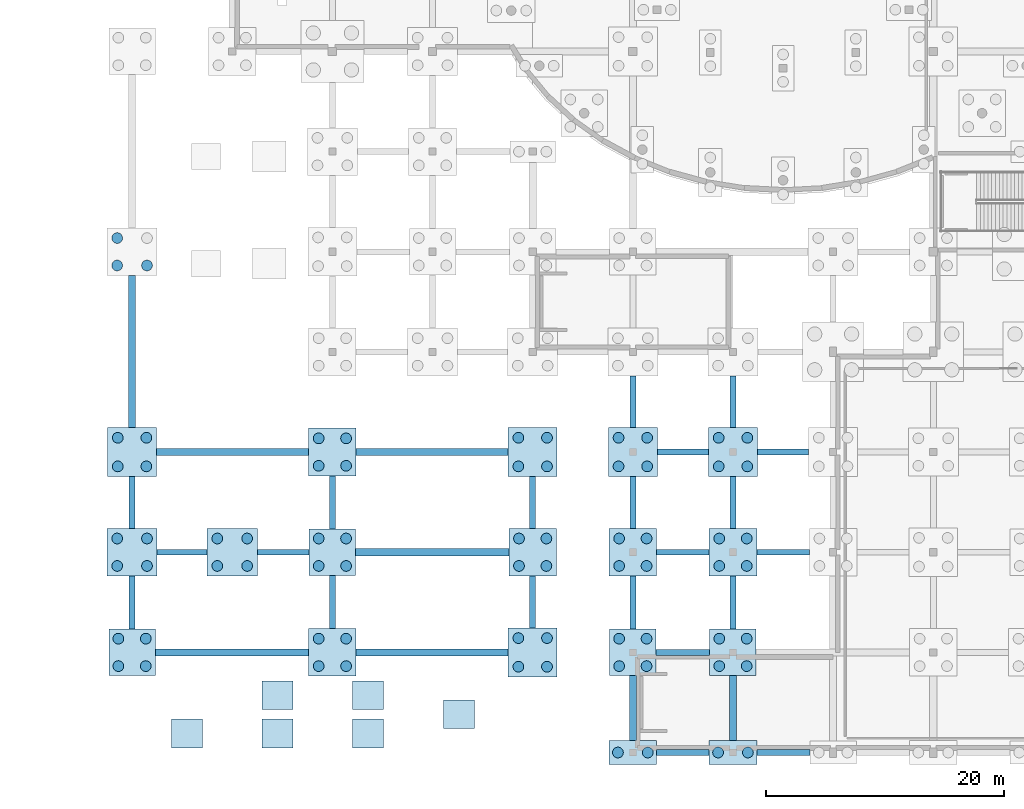
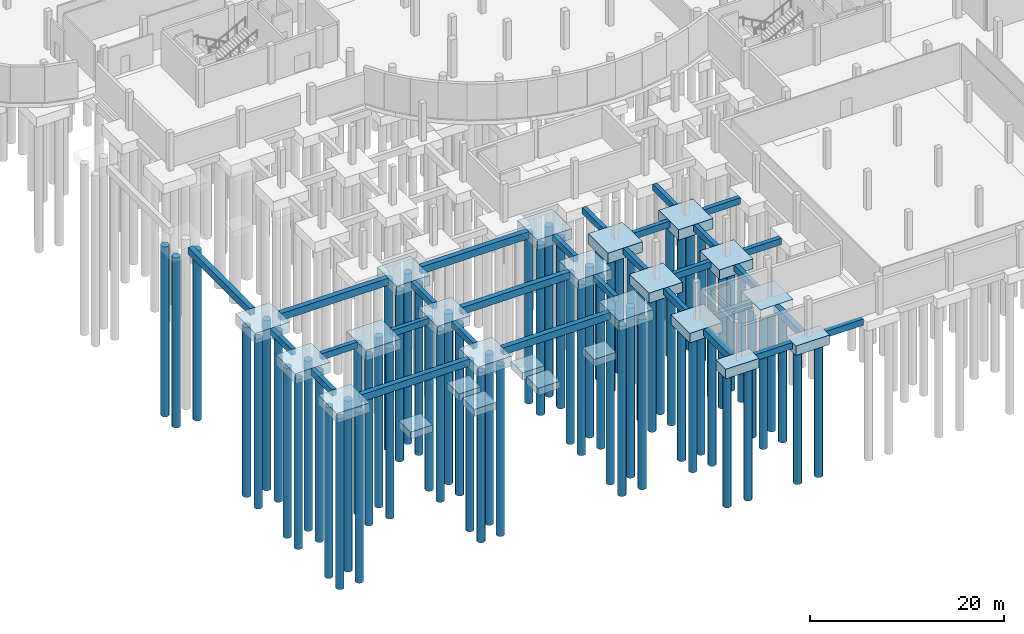
# One storey, part 1 of 24: 71 piles, 53 footings.
"""IFC4 building model written with IfcOpenShell, lengths in metres."""

from ifc_helpers import new_model, si_unit, derived_unit, direction, frame, origin, origin_2d, place, context, subcontext, project, spatial, rectangle, circle, extrude, material, layer, layer_set, material_profile, profile_set, type_object, element, save


model = new_model("IFC4")

# Units and contexts
model_context = context("Model", 3, precision=1e-05, world=origin(), true_north=direction((0.0, 1.0)))
body_context = subcontext(model_context, "Body", "Model", "MODEL_VIEW")
ifc_project = project(units=[si_unit("LENGTHUNIT", "METRE"), si_unit("AREAUNIT", "SQUARE_METRE"), si_unit("VOLUMEUNIT", "CUBIC_METRE"), si_unit("PLANEANGLEUNIT", "RADIAN"), si_unit("MASSUNIT", "GRAM", prefix="KILO"), derived_unit("THERMALTRANSMITTANCEUNIT", [(si_unit("POWERUNIT", "WATT"), 1), (si_unit("LENGTHUNIT", "METRE"), -2), (si_unit("THERMODYNAMICTEMPERATUREUNIT", "KELVIN"), -1)])], contexts=[model_context])

# Site, building, storey
site_placement = place(None, origin())
site = spatial("IfcSite", under=ifc_project, at=site_placement, CompositionType="ELEMENT")
building_placement = place(site_placement, origin())
building = spatial("IfcBuilding", under=site, at=building_placement, Name="Elbkamm Science Centre", CompositionType="ELEMENT")
storey_placement = place(building_placement, frame((0.0, 0.0, -4.800048828125)))
storey = spatial("IfcBuildingStorey", under=building, at=storey_placement, Name="B01", CompositionType="ELEMENT", Elevation=-4.800048828125)

# Footings
ifc_material = material(Name="Concrete C35/45", Category="concrete")
footing_type_1 = type_object("IfcFootingType", Name="FTG-TIE-500x800", PredefinedType="FOOTING_BEAM", material=ifc_material)
footing_1_placement = place(storey_placement, frame((54.60009765625, 0.0, -0.7998046875), z_axis=(0.0, 0.0, 1.0), x_axis=(1.0, 0.0, 0.0)))
element("IfcFooting", 1, at=footing_1_placement, inside=storey, type_object=footing_type_1, Name="Substructure Ground Tie Beam X-001", PredefinedType="FOOTING_BEAM", context=body_context, shape_type="SweptSolid", body=[
    extrude(rectangle(XDim=4.39990234375, YDim=0.5, at=origin_2d()), origin(), (0.0, 0.0, 1.0), 0.800048828125),
])
footing_2_placement = place(storey_placement, frame((63.02490234375, 0.0, -0.7998046875), z_axis=(0.0, 0.0, 1.0), x_axis=(1.0, 0.0, 0.0)))
element("IfcFooting", 2, at=footing_2_placement, inside=storey, type_object=footing_type_1, Name="Substructure Ground Tie Beam X-002", PredefinedType="FOOTING_BEAM", context=body_context, shape_type="SweptSolid", body=[
    extrude(rectangle(XDim=4.449951171875, YDim=0.5, at=origin_2d()), origin(), (0.0, 0.0, 1.0), 0.800048828125),
])
footing_3_placement = place(storey_placement, frame((54.60009765625, 8.39990234375, -0.7998046875), z_axis=(0.0, 0.0, 1.0), x_axis=(1.0, 0.0, 0.0)))
element("IfcFooting", 3, at=footing_3_placement, inside=storey, type_object=footing_type_1, Name="Substructure Ground Tie Beam X-011", PredefinedType="FOOTING_BEAM", context=body_context, shape_type="SweptSolid", body=[
    extrude(rectangle(XDim=4.5, YDim=0.5, at=origin_2d()), origin(), (0.0, 0.0, 1.0), 0.800048828125),
])
footing_4_placement = place(storey_placement, frame((12.60009765625, 16.800048828125, 3.81005859375), z_axis=(0.0, 0.0, 1.0), x_axis=(1.0, 0.0, 0.0)))
element("IfcFooting", 4, at=footing_4_placement, inside=storey, type_object=footing_type_1, Name="Substructure Ground Tie Beam X-018", PredefinedType="FOOTING_BEAM", context=body_context, shape_type="SweptSolid", body=[
    extrude(rectangle(XDim=4.199951171875, YDim=0.5, at=origin_2d()), origin(), (0.0, 0.0, 1.0), 0.800048828125),
])
footing_5_placement = place(storey_placement, frame((21.074951171875, 16.800048828125, 3.81005859375), z_axis=(0.0, 0.0, 1.0), x_axis=(1.0, 0.0, 0.0)))
element("IfcFooting", 5, at=footing_5_placement, inside=storey, type_object=footing_type_1, Name="Substructure Ground Tie Beam X-019", PredefinedType="FOOTING_BEAM", context=body_context, shape_type="SweptSolid", body=[
    extrude(rectangle(XDim=4.35009765625, YDim=0.5, at=origin_2d()), origin(), (0.0, 0.0, 1.0), 0.800048828125),
])
for number, where, z_axis, x_axis, name in (
    (6, (54.60009765625, 16.800048828125, -0.7998046875), (0.0, 0.0, 1.0), (1.0, 0.0, 0.0), "Substructure Ground Tie Beam X-021"),
    (7, (63.0, 16.800048828125, -0.7998046875), (0.0, 0.0, 1.0), (1.0, 0.0, 0.0), "Substructure Ground Tie Beam X-022"),
):
    element("IfcFooting", number, at=place(storey_placement, frame(where, z_axis=z_axis, x_axis=x_axis)), inside=storey, type_object=footing_type_1, Name=name, PredefinedType="FOOTING_BEAM", context=body_context, shape_type="SweptSolid", body=[
        extrude(rectangle(XDim=4.39990234375, YDim=0.5, at=origin_2d()), origin(), (0.0, 0.0, 1.0), 0.800048828125),
    ])
for number, where, z_axis, x_axis, name in (
    (8, (54.60009765625, 25.199951171875, -0.7998046875), (0.0, 0.0, 1.0), (1.0, 0.0, 0.0), "Substructure Ground Tie Beam X-031"),
    (9, (63.0, 25.199951171875, -0.7998046875), (0.0, 0.0, 1.0), (1.0, 0.0, 0.0), "Substructure Ground Tie Beam X-032"),
):
    element("IfcFooting", number, at=place(storey_placement, frame(where, z_axis=z_axis, x_axis=x_axis)), inside=storey, type_object=footing_type_1, Name=name, PredefinedType="FOOTING_BEAM", context=body_context, shape_type="SweptSolid", body=[
        extrude(rectangle(XDim=4.300048828125, YDim=0.5, at=origin_2d()), origin(), (0.0, 0.0, 1.0), 0.800048828125),
    ])
footing_6_placement = place(storey_placement, frame((8.39990234375, 12.574951171875, 3.81005859375), z_axis=(0.0, 0.0, 1.0), x_axis=(1.0, 0.0, 0.0)))
element("IfcFooting", 10, at=footing_6_placement, inside=storey, type_object=footing_type_1, Name="Substructure Ground Tie Beam Y-127", PredefinedType="FOOTING_BEAM", context=body_context, shape_type="SweptSolid", body=[
    extrude(rectangle(XDim=0.5, YDim=4.449951171875, at=origin_2d()), origin(), (0.0, 0.0, 1.0), 0.800048828125),
])
footing_7_placement = place(storey_placement, frame((8.39990234375, 20.97509765625, 3.81005859375), z_axis=(0.0, 0.0, 1.0), x_axis=(1.0, 0.0, 0.0)))
element("IfcFooting", 11, at=footing_7_placement, inside=storey, type_object=footing_type_1, Name="Substructure Ground Tie Beam Y-128", PredefinedType="FOOTING_BEAM", context=body_context, shape_type="SweptSolid", body=[
    extrude(rectangle(XDim=0.5, YDim=4.35009765625, at=origin_2d()), origin(), (0.0, 0.0, 1.0), 0.800048828125),
])
for number, where, z_axis, x_axis, name in (
    (12, (25.199951171875, 12.625, 3.81005859375), (0.0, 0.0, 1.0), (1.0, 0.0, 0.0), "Substructure Ground Tie Beam Y-134"),
    (13, (25.199951171875, 20.97509765625, 3.81005859375), (0.0, 0.0, 1.0), (1.0, 0.0, 0.0), "Substructure Ground Tie Beam Y-135"),
):
    element("IfcFooting", number, at=place(storey_placement, frame(where, z_axis=z_axis, x_axis=x_axis)), inside=storey, type_object=footing_type_1, Name=name, PredefinedType="FOOTING_BEAM", context=body_context, shape_type="SweptSolid", body=[
        extrude(rectangle(XDim=0.5, YDim=4.449951171875, at=origin_2d()), origin(), (0.0, 0.0, 1.0), 0.800048828125),
    ])
for number, where, z_axis, x_axis, name in (
    (14, (42.0, 12.625, 3.81005859375), (0.0, 0.0, 1.0), (1.0, 0.0, 0.0), "Substructure Ground Tie Beam Y-147"),
    (15, (42.0, 20.97509765625, 3.81005859375), (0.0, 0.0, 1.0), (1.0, 0.0, 0.0), "Substructure Ground Tie Beam Y-148"),
):
    element("IfcFooting", number, at=place(storey_placement, frame(where, z_axis=z_axis, x_axis=x_axis)), inside=storey, type_object=footing_type_1, Name=name, PredefinedType="FOOTING_BEAM", context=body_context, shape_type="SweptSolid", body=[
        extrude(rectangle(XDim=0.5, YDim=4.35009765625, at=origin_2d()), origin(), (0.0, 0.0, 1.0), 0.800048828125),
    ])
footing_8_placement = place(storey_placement, frame((50.39990234375, 12.574951171875, -0.7998046875), z_axis=(0.0, 0.0, 1.0), x_axis=(1.0, 0.0, 0.0)))
element("IfcFooting", 16, at=footing_8_placement, inside=storey, type_object=footing_type_1, Name="Substructure Ground Tie Beam Y-152", PredefinedType="FOOTING_BEAM", context=body_context, shape_type="SweptSolid", body=[
    extrude(rectangle(XDim=0.5, YDim=4.449951171875, at=origin_2d()), origin(), (0.0, 0.0, 1.0), 0.800048828125),
])
for number, where, z_axis, x_axis, name in (
    (17, (50.39990234375, 20.97509765625, -0.7998046875), (0.0, 0.0, 1.0), (1.0, 0.0, 0.0), "Substructure Ground Tie Beam Y-153"),
    (18, (50.39990234375, 29.425048828125, -0.7998046875), (0.0, 0.0, 1.0), (1.0, 0.0, 0.0), "Substructure Ground Tie Beam Y-154"),
):
    element("IfcFooting", number, at=place(storey_placement, frame(where, z_axis=z_axis, x_axis=x_axis)), inside=storey, type_object=footing_type_1, Name=name, PredefinedType="FOOTING_BEAM", context=body_context, shape_type="SweptSolid", body=[
        extrude(rectangle(XDim=0.5, YDim=4.35009765625, at=origin_2d()), origin(), (0.0, 0.0, 1.0), 0.800048828125),
    ])
footing_9_placement = place(storey_placement, frame((58.800048828125, 12.574951171875, -0.7998046875), z_axis=(0.0, 0.0, 1.0), x_axis=(1.0, 0.0, 0.0)))
element("IfcFooting", 19, at=footing_9_placement, inside=storey, type_object=footing_type_1, Name="Substructure Ground Tie Beam Y-159", PredefinedType="FOOTING_BEAM", context=body_context, shape_type="SweptSolid", body=[
    extrude(rectangle(XDim=0.5, YDim=4.449951171875, at=origin_2d()), origin(), (0.0, 0.0, 1.0), 0.800048828125),
])
for number, where, z_axis, x_axis, name in (
    (20, (58.800048828125, 20.97509765625, -0.7998046875), (0.0, 0.0, 1.0), (1.0, 0.0, 0.0), "Substructure Ground Tie Beam Y-160"),
    (21, (58.800048828125, 29.425048828125, -0.7998046875), (0.0, 0.0, 1.0), (1.0, 0.0, 0.0), "Substructure Ground Tie Beam Y-161"),
):
    element("IfcFooting", number, at=place(storey_placement, frame(where, z_axis=z_axis, x_axis=x_axis)), inside=storey, type_object=footing_type_1, Name=name, PredefinedType="FOOTING_BEAM", context=body_context, shape_type="SweptSolid", body=[
        extrude(rectangle(XDim=0.5, YDim=4.35009765625, at=origin_2d()), origin(), (0.0, 0.0, 1.0), 0.800048828125),
    ])
footing_type_2 = type_object("IfcFootingType", Name="FTG-TIE-600x900", PredefinedType="FOOTING_BEAM", material=ifc_material)
footing_10_placement = place(storey_placement, frame((16.77490234375, 8.39990234375, 3.710205078125), z_axis=(0.0, 0.0, 1.0), x_axis=(1.0, 0.0, 0.0)))
element("IfcFooting", 22, at=footing_10_placement, inside=storey, type_object=footing_type_2, Name="Substructure Ground Tie Beam X-009", PredefinedType="FOOTING_BEAM", context=body_context, shape_type="SweptSolid", body=[
    extrude(rectangle(XDim=12.85009765625, YDim=0.60009765625, at=origin_2d()), origin(), (0.0, 0.0, 1.0), 0.89990234375),
])
footing_11_placement = place(storey_placement, frame((33.574951171875, 8.39990234375, 3.710205078125), z_axis=(0.0, 0.0, 1.0), x_axis=(1.0, 0.0, 0.0)))
element("IfcFooting", 23, at=footing_11_placement, inside=storey, type_object=footing_type_2, Name="Substructure Ground Tie Beam X-010", PredefinedType="FOOTING_BEAM", context=body_context, shape_type="SweptSolid", body=[
    extrude(rectangle(XDim=12.75, YDim=0.60009765625, at=origin_2d()), origin(), (0.0, 0.0, 1.0), 0.89990234375),
])
footing_12_placement = place(storey_placement, frame((33.574951171875, 16.800048828125, 3.710205078125), z_axis=(0.0, 0.0, 1.0), x_axis=(1.0, 0.0, 0.0)))
element("IfcFooting", 24, at=footing_12_placement, inside=storey, type_object=footing_type_2, Name="Substructure Ground Tie Beam X-020", PredefinedType="FOOTING_BEAM", context=body_context, shape_type="SweptSolid", body=[
    extrude(rectangle(XDim=12.85009765625, YDim=0.60009765625, at=origin_2d()), origin(), (0.0, 0.0, 1.0), 0.89990234375),
])
for number, where, z_axis, x_axis, name in (
    (25, (16.824951171875, 25.199951171875, 3.710205078125), (0.0, 0.0, 1.0), (1.0, 0.0, 0.0), "Substructure Ground Tie Beam X-029"),
    (26, (33.574951171875, 25.199951171875, 3.710205078125), (0.0, 0.0, 1.0), (1.0, 0.0, 0.0), "Substructure Ground Tie Beam X-030"),
):
    element("IfcFooting", number, at=place(storey_placement, frame(where, z_axis=z_axis, x_axis=x_axis)), inside=storey, type_object=footing_type_2, Name=name, PredefinedType="FOOTING_BEAM", context=body_context, shape_type="SweptSolid", body=[
        extrude(rectangle(XDim=12.75, YDim=0.60009765625, at=origin_2d()), origin(), (0.0, 0.0, 1.0), 0.89990234375),
    ])
footing_13_placement = place(storey_placement, frame((8.39990234375, 33.625, 3.710205078125), z_axis=(0.0, 0.0, 1.0), x_axis=(1.0, 0.0, 0.0)))
element("IfcFooting", 27, at=footing_13_placement, inside=storey, type_object=footing_type_2, Name="Substructure Ground Tie Beam Y-129", PredefinedType="FOOTING_BEAM", context=body_context, shape_type="SweptSolid", body=[
    extrude(rectangle(XDim=0.60009765625, YDim=12.75, at=origin_2d()), origin(), (0.0, 0.0, 1.0), 0.89990234375),
])
for number, where, z_axis, x_axis, name in (
    (28, (50.39990234375, 3.72509765625, -0.89990234375), (0.0, 0.0, 1.0), (1.0, 0.0, 0.0), "Substructure Ground Tie Beam Y-151"),
    (29, (58.800048828125, 3.72509765625, -0.89990234375), (0.0, 0.0, 1.0), (1.0, 0.0, 0.0), "Substructure Ground Tie Beam Y-158"),
):
    element("IfcFooting", number, at=place(storey_placement, frame(where, z_axis=z_axis, x_axis=x_axis)), inside=storey, type_object=footing_type_2, Name=name, PredefinedType="FOOTING_BEAM", context=body_context, shape_type="SweptSolid", body=[
        extrude(rectangle(XDim=0.60009765625, YDim=5.449951171875, at=origin_2d()), origin(), (0.0, 0.0, 1.0), 0.89990234375),
    ])
ifc_layer_1 = layer(ifc_material, 0.89990234375)
ifc_layer_set_1 = layer_set([ifc_layer_1], Name="Concrete C35/45")
footing_type_3 = type_object("IfcFootingType", Name="PAD-260x240x90", PredefinedType="PAD_FOOTING", material=ifc_layer_set_1)
for number, where, z_axis, x_axis, name in (
    (30, (13.0, 1.60009765625, 3.2001953125), (0.0, 0.0, 1.0), (1.0, 0.0, 0.0), "Accessible Ramp Entry Footing"),
    (31, (20.60009765625, 1.60009765625, 3.400146484375), (0.0, 0.0, 1.0), (1.0, 0.0, 0.0), "RMP-01 Landing Pad Footing"),
    (32, (28.199951171875, 1.60009765625, 3.400146484375), (0.0, 0.0, 1.0), (1.0, 0.0, 0.0), "RMP-02 Landing Pad Footing"),
    (33, (35.800048828125, 3.199951171875, 3.400146484375), (0.0, 0.0, 1.0), (1.0, 0.0, 0.0), "RMP-03 Landing Pad Footing"),
    (34, (28.199951171875, 4.800048828125, 3.400146484375), (0.0, 0.0, 1.0), (1.0, 0.0, 0.0), "RMP-04 Landing Pad Footing"),
    (35, (20.60009765625, 4.800048828125, 3.400146484375), (0.0, 0.0, 1.0), (1.0, 0.0, 0.0), "RMP-05 Landing Pad Footing"),
):
    element("IfcFooting", number, at=place(storey_placement, frame(where, z_axis=z_axis, x_axis=x_axis)), inside=storey, type_object=footing_type_3, Name=name, PredefinedType="PAD_FOOTING", context=body_context, shape_type="SweptSolid", body=[
        extrude(rectangle(XDim=2.60009765625, YDim=2.39990234375, at=origin_2d()), origin(), (0.0, 0.0, 1.0), 0.89990234375),
    ])
ifc_layer_2 = layer(ifc_material, 1.199951171875)
ifc_layer_set_2 = layer_set([ifc_layer_2], Name="Concrete C35/45")
footing_type_4 = type_object("IfcFootingType", Name="PC-2P-400x200x120", PredefinedType="PILE_CAP", material=ifc_layer_set_2)
for number, where, z_axis, x_axis, name in (
    (36, (50.39990234375, 0.0, -1.19970703125), (0.0, 0.0, 1.0), (1.0, 0.0, 0.0), "Pile Cap GRID-7-A"),
    (37, (58.800048828125, 0.0, -1.19970703125), (0.0, 0.0, 1.0), (1.0, 0.0, 0.0), "Pile Cap GRID-8-A"),
):
    element("IfcFooting", number, at=place(storey_placement, frame(where, z_axis=z_axis, x_axis=x_axis)), inside=storey, type_object=footing_type_4, Name=name, PredefinedType="PILE_CAP", context=body_context, shape_type="SweptSolid", body=[
        extrude(rectangle(XDim=4.0, YDim=2.0, at=origin_2d()), origin(), (0.0, 0.0, 1.0), 1.199951171875),
    ])
ifc_layer_3 = layer(ifc_material, 1.199951171875)
ifc_layer_set_3 = layer_set([ifc_layer_3], Name="Concrete C35/45")
footing_type_5 = type_object("IfcFootingType", Name="PC-4P-390x390x120", PredefinedType="PILE_CAP", material=ifc_layer_set_3)
for number, where, z_axis, x_axis, name in (
    (38, (8.39990234375, 8.39990234375, 3.41015625), (0.0, 0.0, 1.0), (1.0, 0.0, 0.0), "Pile Cap MARQ-SUB-01"),
    (39, (25.199951171875, 16.800048828125, 3.41015625), (0.0, 0.0, 1.0), (1.0, 0.0, 0.0), "Pile Cap MARQ-SUB-05"),
    (40, (50.39990234375, 8.39990234375, -1.19970703125), (0.0, 0.0, 1.0), (1.0, 0.0, 0.0), "Pile Cap GRID-7-B"),
    (41, (58.800048828125, 8.39990234375, -1.19970703125), (0.0, 0.0, 1.0), (1.0, 0.0, 0.0), "Pile Cap GRID-8-B"),
):
    element("IfcFooting", number, at=place(storey_placement, frame(where, z_axis=z_axis, x_axis=x_axis)), inside=storey, type_object=footing_type_5, Name=name, PredefinedType="PILE_CAP", context=body_context, shape_type="SweptSolid", body=[
        extrude(rectangle(XDim=3.89990234375, YDim=3.89990234375, at=origin_2d()), origin(), (0.0, 0.0, 1.0), 1.199951171875),
    ])
ifc_layer_4 = layer(ifc_material, 1.25)
ifc_layer_set_4 = layer_set([ifc_layer_4], Name="Concrete C35/45")
footing_type_6 = type_object("IfcFootingType", Name="PC-4P-400x400x125", PredefinedType="PILE_CAP", material=ifc_layer_set_4)
for number, where, z_axis, x_axis, name in (
    (42, (25.199951171875, 8.39990234375, 3.360107421875), (0.0, 0.0, 1.0), (1.0, 0.0, 0.0), "Pile Cap MARQ-SUB-02"),
    (43, (42.0, 16.800048828125, 3.360107421875), (0.0, 0.0, 1.0), (1.0, 0.0, 0.0), "Pile Cap MARQ-SUB-06"),
    (44, (25.199951171875, 25.199951171875, 3.360107421875), (0.0, 0.0, 1.0), (1.0, 0.0, 0.0), "Pile Cap MARQ-SUB-10"),
    (45, (50.39990234375, 16.800048828125, -1.25), (0.0, 0.0, 1.0), (1.0, 0.0, 0.0), "Pile Cap GRID-7-C"),
    (46, (58.800048828125, 16.800048828125, -1.25), (0.0, 0.0, 1.0), (1.0, 0.0, 0.0), "Pile Cap GRID-8-C"),
):
    element("IfcFooting", number, at=place(storey_placement, frame(where, z_axis=z_axis, x_axis=x_axis)), inside=storey, type_object=footing_type_6, Name=name, PredefinedType="PILE_CAP", context=body_context, shape_type="SweptSolid", body=[
        extrude(rectangle(XDim=4.0, YDim=4.0, at=origin_2d()), origin(), (0.0, 0.0, 1.0), 1.25),
    ])
ifc_layer_5 = layer(ifc_material, 1.300048828125)
ifc_layer_set_5 = layer_set([ifc_layer_5], Name="Concrete C35/45")
footing_type_7 = type_object("IfcFootingType", Name="PC-4P-410x410x130", PredefinedType="PILE_CAP", material=ifc_layer_set_5)
for number, where, z_axis, x_axis, name in (
    (47, (42.0, 8.39990234375, 3.31005859375), (0.0, 0.0, 1.0), (1.0, 0.0, 0.0), "Pile Cap MARQ-SUB-03"),
    (48, (8.39990234375, 25.199951171875, 3.31005859375), (0.0, 0.0, 1.0), (1.0, 0.0, 0.0), "Pile Cap MARQ-SUB-07"),
    (49, (42.0, 25.199951171875, 3.31005859375), (0.0, 0.0, 1.0), (1.0, 0.0, 0.0), "Pile Cap MARQ-SUB-11"),
    (50, (50.39990234375, 25.199951171875, -1.2998046875), (0.0, 0.0, 1.0), (1.0, 0.0, 0.0), "Pile Cap GRID-7-D"),
    (51, (58.800048828125, 25.199951171875, -1.2998046875), (0.0, 0.0, 1.0), (1.0, 0.0, 0.0), "Pile Cap GRID-8-D"),
):
    element("IfcFooting", number, at=place(storey_placement, frame(where, z_axis=z_axis, x_axis=x_axis)), inside=storey, type_object=footing_type_7, Name=name, PredefinedType="PILE_CAP", context=body_context, shape_type="SweptSolid", body=[
        extrude(rectangle(XDim=4.10009765625, YDim=4.10009765625, at=origin_2d()), origin(), (0.0, 0.0, 1.0), 1.300048828125),
    ])
ifc_layer_6 = layer(ifc_material, 1.300048828125)
ifc_layer_set_6 = layer_set([ifc_layer_6], Name="Concrete C35/45")
footing_type_8 = type_object("IfcFootingType", Name="PC-4P-420x400x130", PredefinedType="PILE_CAP", material=ifc_layer_set_6)
for number, where, z_axis, x_axis, name in (
    (52, (8.39990234375, 16.800048828125, 3.31005859375), (0.0, 0.0, 1.0), (1.0, 0.0, 0.0), "Pile Cap MARQ-SUB-04"),
    (53, (16.800048828125, 16.800048828125, 3.31005859375), (0.0, 0.0, 1.0), (1.0, 0.0, 0.0), "Pile Cap MARQ-SUB-12"),
):
    element("IfcFooting", number, at=place(storey_placement, frame(where, z_axis=z_axis, x_axis=x_axis)), inside=storey, type_object=footing_type_8, Name=name, PredefinedType="PILE_CAP", context=body_context, shape_type="SweptSolid", body=[
        extrude(rectangle(XDim=4.199951171875, YDim=4.0, at=origin_2d()), origin(), (0.0, 0.0, 1.0), 1.300048828125),
    ])

# Piles
ifc_material_profile = material_profile(ifc_material, circle(Radius=0.449951171875, at=origin_2d()), Name="PILE D900")
ifc_profile_set = profile_set([ifc_material_profile], Name="Concrete C35/45")
pile_type = type_object("IfcPileType", Name="PILE-BORED-900", PredefinedType="BORED", material=ifc_profile_set)
for number, where, z_axis, x_axis, name in (
    (54, (7.25, 7.25, 3.510009765625), (0.0, 0.0, -1.0), (1.0, 0.0, 0.0), "Bored Pile MARQ-SUB-01-1"),
    (55, (9.550048828125, 7.25, 3.510009765625), (0.0, 0.0, -1.0), (1.0, 0.0, 0.0), "Bored Pile MARQ-SUB-01-2"),
    (56, (7.25, 9.550048828125, 3.510009765625), (0.0, 0.0, -1.0), (1.0, 0.0, 0.0), "Bored Pile MARQ-SUB-01-3"),
    (57, (9.550048828125, 9.550048828125, 3.510009765625), (0.0, 0.0, -1.0), (1.0, 0.0, 0.0), "Bored Pile MARQ-SUB-01-4"),
):
    element("IfcPile", number, at=place(storey_placement, frame(where, z_axis=z_axis, x_axis=x_axis)), inside=storey, type_object=pile_type, Name=name, PredefinedType="BORED", context=body_context, shape_type="SweptSolid", body=[
        extrude(circle(Radius=0.449951171875, at=origin_2d()), origin(), (0.0, 0.0, 1.0), 21.510009765625),
    ])
for number, where, z_axis, x_axis, name in (
    (58, (24.050048828125, 7.25, 3.4599609375), (0.0, 0.0, -1.0), (1.0, 0.0, 0.0), "Bored Pile MARQ-SUB-02-1"),
    (59, (26.35009765625, 7.25, 3.4599609375), (0.0, 0.0, -1.0), (1.0, 0.0, 0.0), "Bored Pile MARQ-SUB-02-2"),
    (60, (24.050048828125, 9.550048828125, 3.4599609375), (0.0, 0.0, -1.0), (1.0, 0.0, 0.0), "Bored Pile MARQ-SUB-02-3"),
    (61, (26.35009765625, 9.550048828125, 3.4599609375), (0.0, 0.0, -1.0), (1.0, 0.0, 0.0), "Bored Pile MARQ-SUB-02-4"),
):
    element("IfcPile", number, at=place(storey_placement, frame(where, z_axis=z_axis, x_axis=x_axis)), inside=storey, type_object=pile_type, Name=name, PredefinedType="BORED", context=body_context, shape_type="SweptSolid", body=[
        extrude(circle(Radius=0.449951171875, at=origin_2d()), origin(), (0.0, 0.0, 1.0), 21.4599609375),
    ])
for number, where, z_axis, x_axis, name in (
    (62, (40.800048828125, 7.199951171875, 3.41015625), (0.0, 0.0, -1.0), (1.0, 0.0, 0.0), "Bored Pile MARQ-SUB-03-1"),
    (63, (43.199951171875, 7.199951171875, 3.41015625), (0.0, 0.0, -1.0), (1.0, 0.0, 0.0), "Bored Pile MARQ-SUB-03-2"),
    (64, (40.800048828125, 9.60009765625, 3.41015625), (0.0, 0.0, -1.0), (1.0, 0.0, 0.0), "Bored Pile MARQ-SUB-03-3"),
    (65, (43.199951171875, 9.60009765625, 3.41015625), (0.0, 0.0, -1.0), (1.0, 0.0, 0.0), "Bored Pile MARQ-SUB-03-4"),
    (66, (7.14990234375, 15.64990234375, 3.41015625), (0.0, 0.0, -1.0), (1.0, 0.0, 0.0), "Bored Pile MARQ-SUB-04-1"),
    (67, (9.64990234375, 15.64990234375, 3.41015625), (0.0, 0.0, -1.0), (1.0, 0.0, 0.0), "Bored Pile MARQ-SUB-04-2"),
    (68, (7.14990234375, 17.949951171875, 3.41015625), (0.0, 0.0, -1.0), (1.0, 0.0, 0.0), "Bored Pile MARQ-SUB-04-3"),
    (69, (9.64990234375, 17.949951171875, 3.41015625), (0.0, 0.0, -1.0), (1.0, 0.0, 0.0), "Bored Pile MARQ-SUB-04-4"),
):
    element("IfcPile", number, at=place(storey_placement, frame(where, z_axis=z_axis, x_axis=x_axis)), inside=storey, type_object=pile_type, Name=name, PredefinedType="BORED", context=body_context, shape_type="SweptSolid", body=[
        extrude(circle(Radius=0.449951171875, at=origin_2d()), origin(), (0.0, 0.0, 1.0), 21.409912109375),
    ])
for number, where, z_axis, x_axis, name in (
    (70, (24.050048828125, 15.64990234375, 3.510009765625), (0.0, 0.0, -1.0), (1.0, 0.0, 0.0), "Bored Pile MARQ-SUB-05-1"),
    (71, (26.35009765625, 15.64990234375, 3.510009765625), (0.0, 0.0, -1.0), (1.0, 0.0, 0.0), "Bored Pile MARQ-SUB-05-2"),
    (72, (24.050048828125, 17.949951171875, 3.510009765625), (0.0, 0.0, -1.0), (1.0, 0.0, 0.0), "Bored Pile MARQ-SUB-05-3"),
    (73, (26.35009765625, 17.949951171875, 3.510009765625), (0.0, 0.0, -1.0), (1.0, 0.0, 0.0), "Bored Pile MARQ-SUB-05-4"),
):
    element("IfcPile", number, at=place(storey_placement, frame(where, z_axis=z_axis, x_axis=x_axis)), inside=storey, type_object=pile_type, Name=name, PredefinedType="BORED", context=body_context, shape_type="SweptSolid", body=[
        extrude(circle(Radius=0.449951171875, at=origin_2d()), origin(), (0.0, 0.0, 1.0), 21.510009765625),
    ])
for number, where, z_axis, x_axis, name in (
    (74, (40.85009765625, 15.64990234375, 3.4599609375), (0.0, 0.0, -1.0), (1.0, 0.0, 0.0), "Bored Pile MARQ-SUB-06-1"),
    (75, (43.14990234375, 15.64990234375, 3.4599609375), (0.0, 0.0, -1.0), (1.0, 0.0, 0.0), "Bored Pile MARQ-SUB-06-2"),
    (76, (40.85009765625, 17.949951171875, 3.4599609375), (0.0, 0.0, -1.0), (1.0, 0.0, 0.0), "Bored Pile MARQ-SUB-06-3"),
    (77, (43.14990234375, 17.949951171875, 3.4599609375), (0.0, 0.0, -1.0), (1.0, 0.0, 0.0), "Bored Pile MARQ-SUB-06-4"),
):
    element("IfcPile", number, at=place(storey_placement, frame(where, z_axis=z_axis, x_axis=x_axis)), inside=storey, type_object=pile_type, Name=name, PredefinedType="BORED", context=body_context, shape_type="SweptSolid", body=[
        extrude(circle(Radius=0.449951171875, at=origin_2d()), origin(), (0.0, 0.0, 1.0), 21.4599609375),
    ])
for number, where, z_axis, x_axis, name in (
    (78, (7.199951171875, 24.0, 3.41015625), (0.0, 0.0, -1.0), (1.0, 0.0, 0.0), "Bored Pile MARQ-SUB-07-1"),
    (79, (9.60009765625, 24.0, 3.41015625), (0.0, 0.0, -1.0), (1.0, 0.0, 0.0), "Bored Pile MARQ-SUB-07-2"),
    (80, (7.199951171875, 26.39990234375, 3.41015625), (0.0, 0.0, -1.0), (1.0, 0.0, 0.0), "Bored Pile MARQ-SUB-07-3"),
    (81, (9.60009765625, 26.39990234375, 3.41015625), (0.0, 0.0, -1.0), (1.0, 0.0, 0.0), "Bored Pile MARQ-SUB-07-4"),
    (82, (7.14990234375, 40.85009765625, 3.41015625), (0.0, 0.0, -1.0), (1.0, 0.0, 0.0), "Bored Pile MARQ-SUB-08-1"),
    (83, (9.64990234375, 40.85009765625, 3.41015625), (0.0, 0.0, -1.0), (1.0, 0.0, 0.0), "Bored Pile MARQ-SUB-08-2"),
    (84, (7.14990234375, 43.14990234375, 3.41015625), (0.0, 0.0, -1.0), (1.0, 0.0, 0.0), "Bored Pile MARQ-SUB-08-3"),
):
    element("IfcPile", number, at=place(storey_placement, frame(where, z_axis=z_axis, x_axis=x_axis)), inside=storey, type_object=pile_type, Name=name, PredefinedType="BORED", context=body_context, shape_type="SweptSolid", body=[
        extrude(circle(Radius=0.449951171875, at=origin_2d()), origin(), (0.0, 0.0, 1.0), 21.409912109375),
    ])
for number, where, z_axis, x_axis, name in (
    (85, (24.050048828125, 24.050048828125, 3.4599609375), (0.0, 0.0, -1.0), (1.0, 0.0, 0.0), "Bored Pile MARQ-SUB-10-1"),
    (86, (26.35009765625, 24.050048828125, 3.4599609375), (0.0, 0.0, -1.0), (1.0, 0.0, 0.0), "Bored Pile MARQ-SUB-10-2"),
    (87, (24.050048828125, 26.35009765625, 3.4599609375), (0.0, 0.0, -1.0), (1.0, 0.0, 0.0), "Bored Pile MARQ-SUB-10-3"),
    (88, (26.35009765625, 26.35009765625, 3.4599609375), (0.0, 0.0, -1.0), (1.0, 0.0, 0.0), "Bored Pile MARQ-SUB-10-4"),
):
    element("IfcPile", number, at=place(storey_placement, frame(where, z_axis=z_axis, x_axis=x_axis)), inside=storey, type_object=pile_type, Name=name, PredefinedType="BORED", context=body_context, shape_type="SweptSolid", body=[
        extrude(circle(Radius=0.449951171875, at=origin_2d()), origin(), (0.0, 0.0, 1.0), 21.4599609375),
    ])
for number, where, z_axis, x_axis, name in (
    (89, (40.800048828125, 24.0, 3.41015625), (0.0, 0.0, -1.0), (1.0, 0.0, 0.0), "Bored Pile MARQ-SUB-11-1"),
    (90, (43.199951171875, 24.0, 3.41015625), (0.0, 0.0, -1.0), (1.0, 0.0, 0.0), "Bored Pile MARQ-SUB-11-2"),
    (91, (40.800048828125, 26.39990234375, 3.41015625), (0.0, 0.0, -1.0), (1.0, 0.0, 0.0), "Bored Pile MARQ-SUB-11-3"),
    (92, (43.199951171875, 26.39990234375, 3.41015625), (0.0, 0.0, -1.0), (1.0, 0.0, 0.0), "Bored Pile MARQ-SUB-11-4"),
    (93, (15.550048828125, 15.64990234375, 3.41015625), (0.0, 0.0, -1.0), (1.0, 0.0, 0.0), "Bored Pile MARQ-SUB-12-1"),
    (94, (18.050048828125, 15.64990234375, 3.41015625), (0.0, 0.0, -1.0), (1.0, 0.0, 0.0), "Bored Pile MARQ-SUB-12-2"),
    (95, (15.550048828125, 17.949951171875, 3.41015625), (0.0, 0.0, -1.0), (1.0, 0.0, 0.0), "Bored Pile MARQ-SUB-12-3"),
    (96, (18.050048828125, 17.949951171875, 3.41015625), (0.0, 0.0, -1.0), (1.0, 0.0, 0.0), "Bored Pile MARQ-SUB-12-4"),
):
    element("IfcPile", number, at=place(storey_placement, frame(where, z_axis=z_axis, x_axis=x_axis)), inside=storey, type_object=pile_type, Name=name, PredefinedType="BORED", context=body_context, shape_type="SweptSolid", body=[
        extrude(circle(Radius=0.449951171875, at=origin_2d()), origin(), (0.0, 0.0, 1.0), 21.409912109375),
    ])
for number, where, z_axis, x_axis, name in (
    (97, (49.14990234375, 0.0, -1.099853515625), (0.0, 0.0, -1.0), (1.0, 0.0, 0.0), "Bored Pile GRID-7-A-1"),
    (98, (51.64990234375, 0.0, -1.099853515625), (0.0, 0.0, -1.0), (1.0, 0.0, 0.0), "Bored Pile GRID-7-A-2"),
    (99, (49.25, 7.25, -1.099853515625), (0.0, 0.0, -1.0), (1.0, 0.0, 0.0), "Bored Pile GRID-7-B-1"),
    (100, (51.550048828125, 7.25, -1.099853515625), (0.0, 0.0, -1.0), (1.0, 0.0, 0.0), "Bored Pile GRID-7-B-2"),
    (101, (49.25, 9.550048828125, -1.099853515625), (0.0, 0.0, -1.0), (1.0, 0.0, 0.0), "Bored Pile GRID-7-B-3"),
    (102, (51.550048828125, 9.550048828125, -1.099853515625), (0.0, 0.0, -1.0), (1.0, 0.0, 0.0), "Bored Pile GRID-7-B-4"),
):
    element("IfcPile", number, at=place(storey_placement, frame(where, z_axis=z_axis, x_axis=x_axis)), inside=storey, type_object=pile_type, Name=name, PredefinedType="BORED", context=body_context, shape_type="SweptSolid", body=[
        extrude(circle(Radius=0.449951171875, at=origin_2d()), origin(), (0.0, 0.0, 1.0), 16.89990234375),
    ])
for number, where, z_axis, x_axis, name in (
    (103, (49.25, 15.64990234375, -1.14990234375), (0.0, 0.0, -1.0), (1.0, 0.0, 0.0), "Bored Pile GRID-7-C-1"),
    (104, (51.550048828125, 15.64990234375, -1.14990234375), (0.0, 0.0, -1.0), (1.0, 0.0, 0.0), "Bored Pile GRID-7-C-2"),
    (105, (49.25, 17.949951171875, -1.14990234375), (0.0, 0.0, -1.0), (1.0, 0.0, 0.0), "Bored Pile GRID-7-C-3"),
    (106, (51.550048828125, 17.949951171875, -1.14990234375), (0.0, 0.0, -1.0), (1.0, 0.0, 0.0), "Bored Pile GRID-7-C-4"),
):
    element("IfcPile", number, at=place(storey_placement, frame(where, z_axis=z_axis, x_axis=x_axis)), inside=storey, type_object=pile_type, Name=name, PredefinedType="BORED", context=body_context, shape_type="SweptSolid", body=[
        extrude(circle(Radius=0.449951171875, at=origin_2d()), origin(), (0.0, 0.0, 1.0), 16.85009765625),
    ])
for number, where, z_axis, x_axis, name in (
    (107, (49.199951171875, 24.0, -1.199951171875), (0.0, 0.0, -1.0), (1.0, 0.0, 0.0), "Bored Pile GRID-7-D-1"),
    (108, (51.60009765625, 24.0, -1.199951171875), (0.0, 0.0, -1.0), (1.0, 0.0, 0.0), "Bored Pile GRID-7-D-2"),
    (109, (49.199951171875, 26.39990234375, -1.199951171875), (0.0, 0.0, -1.0), (1.0, 0.0, 0.0), "Bored Pile GRID-7-D-3"),
    (110, (51.60009765625, 26.39990234375, -1.199951171875), (0.0, 0.0, -1.0), (1.0, 0.0, 0.0), "Bored Pile GRID-7-D-4"),
):
    element("IfcPile", number, at=place(storey_placement, frame(where, z_axis=z_axis, x_axis=x_axis)), inside=storey, type_object=pile_type, Name=name, PredefinedType="BORED", context=body_context, shape_type="SweptSolid", body=[
        extrude(circle(Radius=0.449951171875, at=origin_2d()), origin(), (0.0, 0.0, 1.0), 16.800048828125),
    ])
for number, where, z_axis, x_axis, name in (
    (111, (57.550048828125, 0.0, -1.099853515625), (0.0, 0.0, -1.0), (1.0, 0.0, 0.0), "Bored Pile GRID-8-A-1"),
    (112, (60.050048828125, 0.0, -1.099853515625), (0.0, 0.0, -1.0), (1.0, 0.0, 0.0), "Bored Pile GRID-8-A-2"),
    (113, (57.64990234375, 7.25, -1.099853515625), (0.0, 0.0, -1.0), (1.0, 0.0, 0.0), "Bored Pile GRID-8-B-1"),
    (114, (59.949951171875, 7.25, -1.099853515625), (0.0, 0.0, -1.0), (1.0, 0.0, 0.0), "Bored Pile GRID-8-B-2"),
    (115, (57.64990234375, 9.550048828125, -1.099853515625), (0.0, 0.0, -1.0), (1.0, 0.0, 0.0), "Bored Pile GRID-8-B-3"),
    (116, (59.949951171875, 9.550048828125, -1.099853515625), (0.0, 0.0, -1.0), (1.0, 0.0, 0.0), "Bored Pile GRID-8-B-4"),
):
    element("IfcPile", number, at=place(storey_placement, frame(where, z_axis=z_axis, x_axis=x_axis)), inside=storey, type_object=pile_type, Name=name, PredefinedType="BORED", context=body_context, shape_type="SweptSolid", body=[
        extrude(circle(Radius=0.449951171875, at=origin_2d()), origin(), (0.0, 0.0, 1.0), 16.89990234375),
    ])
for number, where, z_axis, x_axis, name in (
    (117, (57.64990234375, 15.64990234375, -1.14990234375), (0.0, 0.0, -1.0), (1.0, 0.0, 0.0), "Bored Pile GRID-8-C-1"),
    (118, (59.949951171875, 15.64990234375, -1.14990234375), (0.0, 0.0, -1.0), (1.0, 0.0, 0.0), "Bored Pile GRID-8-C-2"),
    (119, (57.64990234375, 17.949951171875, -1.14990234375), (0.0, 0.0, -1.0), (1.0, 0.0, 0.0), "Bored Pile GRID-8-C-3"),
    (120, (59.949951171875, 17.949951171875, -1.14990234375), (0.0, 0.0, -1.0), (1.0, 0.0, 0.0), "Bored Pile GRID-8-C-4"),
):
    element("IfcPile", number, at=place(storey_placement, frame(where, z_axis=z_axis, x_axis=x_axis)), inside=storey, type_object=pile_type, Name=name, PredefinedType="BORED", context=body_context, shape_type="SweptSolid", body=[
        extrude(circle(Radius=0.449951171875, at=origin_2d()), origin(), (0.0, 0.0, 1.0), 16.85009765625),
    ])
for number, where, z_axis, x_axis, name in (
    (121, (57.60009765625, 24.0, -1.199951171875), (0.0, 0.0, -1.0), (1.0, 0.0, 0.0), "Bored Pile GRID-8-D-1"),
    (122, (60.0, 24.0, -1.199951171875), (0.0, 0.0, -1.0), (1.0, 0.0, 0.0), "Bored Pile GRID-8-D-2"),
    (123, (57.60009765625, 26.39990234375, -1.199951171875), (0.0, 0.0, -1.0), (1.0, 0.0, 0.0), "Bored Pile GRID-8-D-3"),
    (124, (60.0, 26.39990234375, -1.199951171875), (0.0, 0.0, -1.0), (1.0, 0.0, 0.0), "Bored Pile GRID-8-D-4"),
):
    element("IfcPile", number, at=place(storey_placement, frame(where, z_axis=z_axis, x_axis=x_axis)), inside=storey, type_object=pile_type, Name=name, PredefinedType="BORED", context=body_context, shape_type="SweptSolid", body=[
        extrude(circle(Radius=0.449951171875, at=origin_2d()), origin(), (0.0, 0.0, 1.0), 16.800048828125),
    ])

save(model, "model.ifc")
